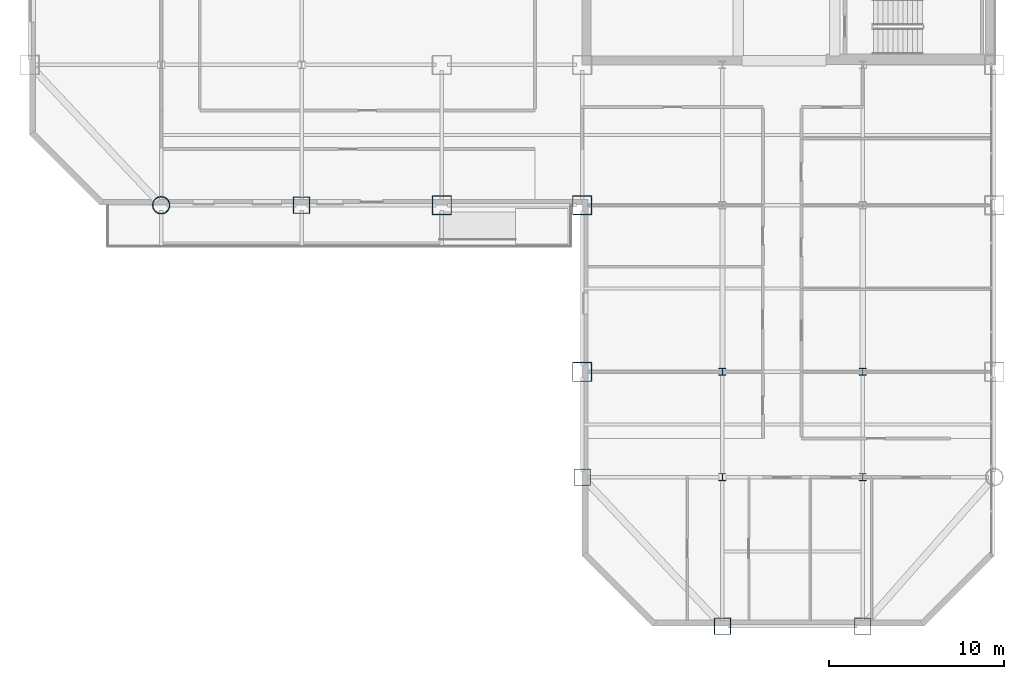
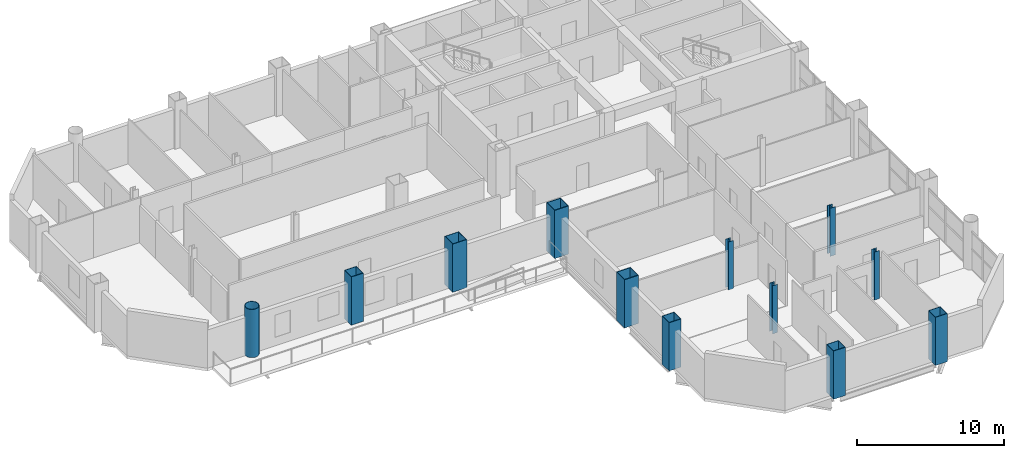
# One storey, part 1 of 16: 12 columns.
"""IFC4 building model written with IfcOpenShell, lengths in metres."""

from ifc_helpers import new_model, si_unit, direction, frame, origin, origin_2d, place, context, subcontext, project, spatial, hollow_rectangle, hollow_circle, i_section, extrude, material, material_profile, profile_set, type_object, element, save


model = new_model("IFC4")

# Units and contexts
model_context = context("Model", 3, precision=1e-05, world=origin(), true_north=direction((0.0, 1.0)))
body_context = subcontext(model_context, "Body", "Model", "MODEL_VIEW")
ifc_project = project(units=[si_unit("LENGTHUNIT", "METRE"), si_unit("AREAUNIT", "SQUARE_METRE"), si_unit("VOLUMEUNIT", "CUBIC_METRE"), si_unit("PLANEANGLEUNIT", "RADIAN"), si_unit("MASSUNIT", "GRAM", prefix="KILO")], contexts=[model_context])

# Site, building, storey
site_placement = place(None, origin())
site = spatial("IfcSite", under=ifc_project, at=site_placement, CompositionType="ELEMENT")
building_placement = place(site_placement, origin())
building = spatial("IfcBuilding", under=site, at=building_placement, Name="Qianrong Seaharbour Tower", CompositionType="ELEMENT")
storey_placement = place(building_placement, frame((0.0, 0.0, 123.0)))
storey = spatial("IfcBuildingStorey", under=building, at=storey_placement, Name="L29", CompositionType="ELEMENT", Elevation=123.0)

# Columns
ifc_material = material(Name="Structural steel SN490B", Category="steel")
ifc_material_profile_1 = material_profile(ifc_material, hollow_rectangle(XDim=1.10009765625, YDim=1.10009765625, WallThickness=0.0400390625, at=origin_2d()), Name="BOX1100x1100x40")
ifc_profile_set_1 = profile_set([ifc_material_profile_1], Name="Structural steel SN490B")
column_type_1 = type_object("IfcColumnType", Name="COL-CFT-1100", PredefinedType="COLUMN", material=ifc_profile_set_1)
for number, where, z_axis, x_axis, name in (
    (1, (32.5, 28.0, 0.0), (0.0, 0.0, 1.0), (1.0, 0.0, 0.0), "L29 Column MC-3 at G5/GE"),
    (2, (40.5, 18.5, 0.0), (0.0, 0.0, 1.0), (1.0, 0.0, 0.0), "L29 Column MC-3 at G6/GD"),
    (3, (40.5, 28.0, 0.0), (0.0, 0.0, 1.0), (1.0, 0.0, 0.0), "L29 Column MC-3 at G6/GE"),
):
    element("IfcColumn", number, at=place(storey_placement, frame(where, z_axis=z_axis, x_axis=x_axis)), inside=storey, type_object=column_type_1, Name=name, PredefinedType="COLUMN", context=body_context, shape_type="SweptSolid", body=[
        extrude(hollow_rectangle(XDim=1.10009765625, YDim=1.10009765625, WallThickness=0.0400390625, at=origin_2d()), origin(), (0.0, 0.0, 1.0), 4.0),
    ])
ifc_material_profile_2 = material_profile(ifc_material, hollow_circle(Radius=0.5, WallThickness=0.035888671875, at=origin_2d()), Name="CHS1000x36")
ifc_profile_set_2 = profile_set([ifc_material_profile_2], Name="Structural steel SN490B")
column_type_2 = type_object("IfcColumnType", Name="COL-CHS-1000", PredefinedType="COLUMN", material=ifc_profile_set_2)
column_placement = place(storey_placement, frame((16.5, 28.0, 0.0), z_axis=(0.0, 0.0, 1.0), x_axis=(1.0, 0.0, 0.0)))
element("IfcColumn", 4, at=column_placement, inside=storey, type_object=column_type_2, Name="L29 Column CC-2 at G3/GE", PredefinedType="COLUMN", context=body_context, shape_type="SweptSolid", body=[
    extrude(hollow_circle(Radius=0.5, WallThickness=0.035888671875, at=origin_2d()), origin(), (0.0, 0.0, 1.0), 4.0),
])
ifc_material_profile_3 = material_profile(ifc_material, i_section(OverallWidth=0.39990234375, OverallDepth=0.39990234375, WebThickness=0.012939453125, FlangeThickness=0.02099609375, FilletRadius=0.02197265625, at=origin_2d()), Name="H400x400x13x21")
ifc_profile_set_3 = profile_set([ifc_material_profile_3], Name="Structural steel SN490B")
column_type_3 = type_object("IfcColumnType", Name="COL-INT-H400", PredefinedType="COLUMN", material=ifc_profile_set_3)
for number, where, z_axis, x_axis, name in (
    (5, (48.5, 12.5, 0.0), (0.0, 0.0, 1.0), (1.0, 0.0, 0.0), "L29 Column IC-3 at G7/GC"),
    (6, (48.5, 18.5, 0.0), (0.0, 0.0, 1.0), (1.0, 0.0, 0.0), "L29 Column IC-3 at G7/GD"),
    (7, (56.5, 12.5, 0.0), (0.0, 0.0, 1.0), (1.0, 0.0, 0.0), "L29 Column IC-3 at G8/GC"),
    (8, (56.5, 18.5, 0.0), (0.0, 0.0, 1.0), (1.0, 0.0, 0.0), "L29 Column IC-3 at G8/GD"),
):
    element("IfcColumn", number, at=place(storey_placement, frame(where, z_axis=z_axis, x_axis=x_axis)), inside=storey, type_object=column_type_3, Name=name, PredefinedType="COLUMN", context=body_context, shape_type="SweptSolid", body=[
        extrude(i_section(OverallWidth=0.39990234375, OverallDepth=0.39990234375, WebThickness=0.012939453125, FlangeThickness=0.02099609375, FilletRadius=0.02197265625, at=origin_2d()), origin(), (0.0, 0.0, 1.0), 4.0),
    ])
ifc_material_profile_4 = material_profile(ifc_material, hollow_rectangle(XDim=0.949951171875, YDim=0.949951171875, WallThickness=0.035888671875, at=origin_2d()), Name="BOX950x950x36")
ifc_profile_set_4 = profile_set([ifc_material_profile_4], Name="Structural steel SN490B")
column_type_4 = type_object("IfcColumnType", Name="COL-PER-950", PredefinedType="COLUMN", material=ifc_profile_set_4)
for number, where, z_axis, x_axis, name in (
    (9, (24.5, 28.0, 0.0), (0.0, 0.0, 1.0), (1.0, 0.0, 0.0), "L29 Column PC-2 at G4/GE"),
    (10, (40.5, 12.5, 0.0), (0.0, 0.0, 1.0), (1.0, 0.0, 0.0), "L29 Column PC-2 at G6/GC"),
    (11, (48.5, 4.0, 0.0), (0.0, 0.0, 1.0), (1.0, 0.0, 0.0), "L29 Column PC-2 at G7/GB"),
    (12, (56.5, 4.0, 0.0), (0.0, 0.0, 1.0), (1.0, 0.0, 0.0), "L29 Column PC-2 at G8/GB"),
):
    element("IfcColumn", number, at=place(storey_placement, frame(where, z_axis=z_axis, x_axis=x_axis)), inside=storey, type_object=column_type_4, Name=name, PredefinedType="COLUMN", context=body_context, shape_type="SweptSolid", body=[
        extrude(hollow_rectangle(XDim=0.949951171875, YDim=0.949951171875, WallThickness=0.035888671875, at=origin_2d()), origin(), (0.0, 0.0, 1.0), 4.0),
    ])

save(model, "model.ifc")
